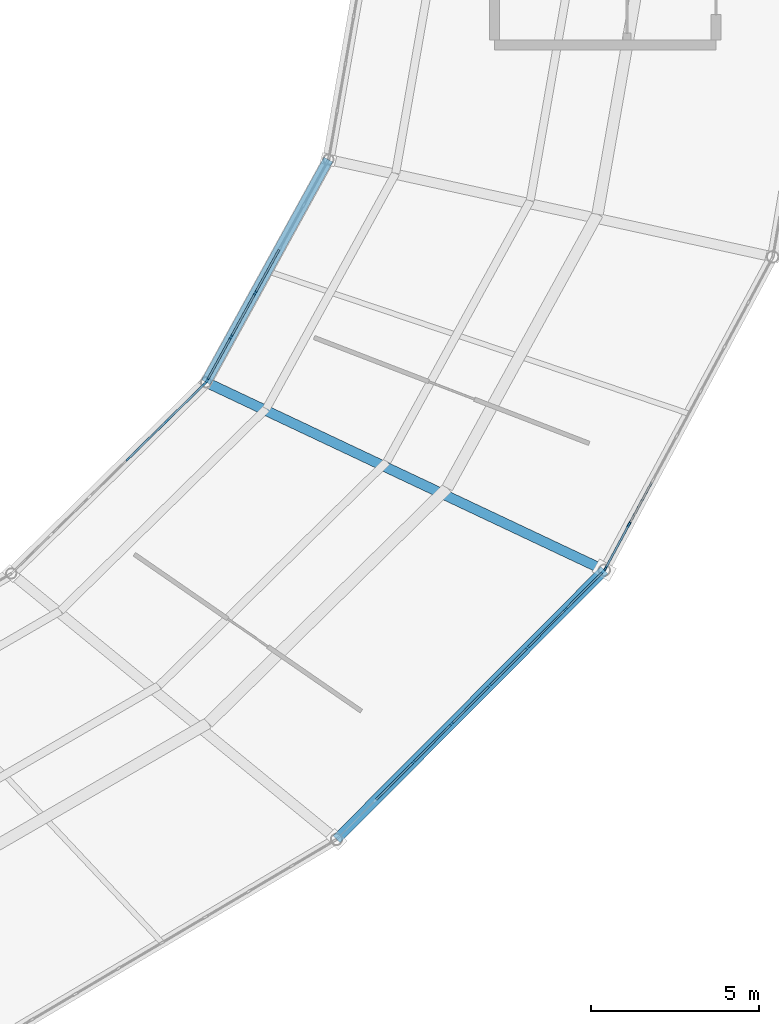
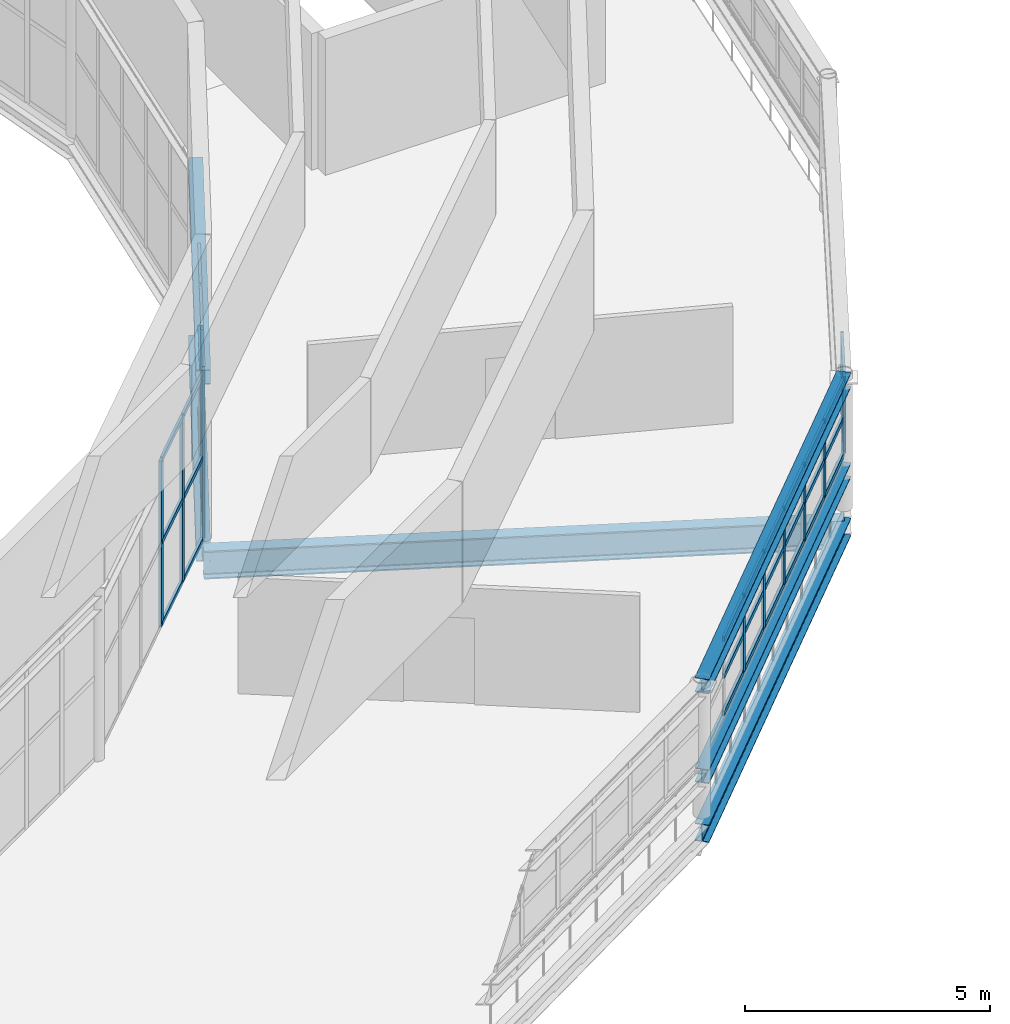
# One storey, part 62 of 123: 51 members, 6 beams, 4 elements without a shape of their own.
"""IFC4 building model written with IfcOpenShell, lengths in metres."""

from ifc_helpers import new_model, si_unit, direction, frame, origin, origin_2d, place, context, subcontext, project, spatial, rectangle, i_section, extrude, material, material_profile, profile_set, type_object, element, aggregate, save


model = new_model("IFC4")

# Units and contexts
model_context = context("Model", 3, precision=1e-05, world=origin(), true_north=direction((0.0, 1.0)))
body_context = subcontext(model_context, "Body", "Model", "MODEL_VIEW")
ifc_project = project(units=[si_unit("LENGTHUNIT", "METRE"), si_unit("AREAUNIT", "SQUARE_METRE"), si_unit("VOLUMEUNIT", "CUBIC_METRE"), si_unit("PLANEANGLEUNIT", "RADIAN"), si_unit("MASSUNIT", "GRAM", prefix="KILO")], contexts=[model_context])

# Site, building, storey
site_placement = place(None, origin())
site = spatial("IfcSite", under=ifc_project, at=site_placement, CompositionType="ELEMENT")
building_placement = place(site_placement, origin())
building = spatial("IfcBuilding", under=site, at=building_placement, Name="Kildeholm Park Wholesale Market", CompositionType="ELEMENT")
storey_placement = place(building_placement, frame((0.0, 0.0, 9.60009765625)))
storey = spatial("IfcBuildingStorey", under=building, at=storey_placement, Name="L02", CompositionType="ELEMENT", Elevation=9.60009765625)

# Beams
ifc_material_1 = material(Name="Steel S355", Category="steel")
ifc_material_profile_1 = material_profile(ifc_material_1, i_section(OverallWidth=0.300048828125, OverallDepth=0.699951171875, WebThickness=0.01708984375, FlangeThickness=0.031982421875, FilletRadius=0.027099609375, at=origin_2d()), Name="HEB 700")
ifc_profile_set_1 = profile_set([ifc_material_profile_1], Name="Steel S355")
beam_type_1 = type_object("IfcBeamType", Name="Beam B-G01 HEB 700", PredefinedType="BEAM", material=ifc_profile_set_1)
beam_1_placement = place(storey_placement, frame((130.610107421875, 75.75, -0.60009765625), z_axis=(0.904317894242, -0.426859632846, 0.0), x_axis=(0.426859632846, 0.904317894242, 0.0)))
element("IfcBeam", 1, at=beam_1_placement, inside=storey, type_object=beam_type_1, Name="Beam BM-V1-L02-R1-22 BM-0201", PredefinedType="BEAM", context=body_context, shape_type="SweptSolid", body=[
    extrude(i_section(OverallWidth=0.300048828125, OverallDepth=0.699951171875, WebThickness=0.01708984375, FlangeThickness=0.031982421875, FilletRadius=0.027099609375, at=origin_2d()), origin(), (0.0, 0.0, 1.0), 13.119384765625),
])
ifc_material_profile_2 = material_profile(ifc_material_1, i_section(OverallWidth=0.300048828125, OverallDepth=0.35009765625, WebThickness=0.010009765625, FlangeThickness=0.017578125, FilletRadius=0.027099609375, at=origin_2d()), Name="HEA 360")
ifc_profile_set_2 = profile_set([ifc_material_profile_2], Name="Steel S355")
beam_type_2 = type_object("IfcBeamType", Name="Beam B-R01 HEA 360", PredefinedType="BEAM", material=ifc_profile_set_2)
beam_2_placement = place(storey_placement, frame((130.610107421875, 75.75, -0.42919921875), z_axis=(0.481751565348, 0.876307839338, 0.0), x_axis=(-0.876307839338, 0.481751565348, 0.0)))
element("IfcBeam", 2, at=beam_2_placement, inside=storey, type_object=beam_type_2, Name="Beam BM-V1-L02-CI-22 BM-0206", PredefinedType="BEAM", context=body_context, shape_type="SweptSolid", body=[
    extrude(i_section(OverallWidth=0.300048828125, OverallDepth=0.35009765625, WebThickness=0.010009765625, FlangeThickness=0.017578125, FilletRadius=0.027099609375, at=origin_2d()), origin(), (0.0, 0.0, 1.0), 7.568115234375),
])
beam_3_placement = place(storey_placement, frame((134.4970703125, 62.135009765625, 0.94775390625), z_axis=(0.705431576708, 0.708778026313, 0.0), x_axis=(-0.708778026313, 0.705431576708, 0.0)))
element("IfcBeam", 3, at=beam_3_placement, inside=storey, type_object=beam_type_2, Name="Beam BM-V1-S1IN-21 BM-0347", PredefinedType="BEAM", context=body_context, shape_type="SweptSolid", body=[
    extrude(i_section(OverallWidth=0.300048828125, OverallDepth=0.35009765625, WebThickness=0.010009765625, FlangeThickness=0.017578125, FilletRadius=0.027099609375, at=origin_2d()), origin(), (0.0, 0.0, 1.0), 11.30810546875),
])
ifc_material_profile_3 = material_profile(ifc_material_1, i_section(OverallWidth=0.300048828125, OverallDepth=0.43994140625, WebThickness=0.011474609375, FlangeThickness=0.02099609375, FilletRadius=0.027099609375, at=origin_2d()), Name="HEA 450")
ifc_profile_set_3 = profile_set([ifc_material_profile_3], Name="Steel S355")
beam_type_3 = type_object("IfcBeamType", Name="Beam B-R02 HEA 450", PredefinedType="BEAM", material=ifc_profile_set_3)
beam_4_placement = place(storey_placement, frame((134.4970703125, 62.135009765625, -0.47412109375), z_axis=(0.705431576708, 0.708778026313, 0.0), x_axis=(-0.708778026313, 0.705431576708, 0.0)))
element("IfcBeam", 4, at=beam_4_placement, inside=storey, type_object=beam_type_3, Name="Beam BM-V1-L02-CM-21 BM-0198", PredefinedType="BEAM", context=body_context, shape_type="SweptSolid", body=[
    extrude(i_section(OverallWidth=0.300048828125, OverallDepth=0.43994140625, WebThickness=0.011474609375, FlangeThickness=0.02099609375, FilletRadius=0.027099609375, at=origin_2d()), origin(), (0.0, 0.0, 1.0), 11.30810546875),
])
ifc_material_profile_4 = material_profile(ifc_material_1, i_section(OverallWidth=0.300048828125, OverallDepth=0.360107421875, WebThickness=0.012451171875, FlangeThickness=0.0224609375, FilletRadius=0.027099609375, at=origin_2d()), Name="HEB 360")
ifc_profile_set_4 = profile_set([ifc_material_profile_4], Name="Steel S355")
beam_type_4 = type_object("IfcBeamType", Name="Beam B-R03 HEB 360", PredefinedType="BEAM", material=ifc_profile_set_4)
beam_5_placement = place(storey_placement, frame((134.4970703125, 62.135009765625, 3.190185546875), z_axis=(0.705431576708, 0.708778026313, 0.0), x_axis=(-0.708778026313, 0.705431576708, 0.0)))
element("IfcBeam", 5, at=beam_5_placement, inside=storey, type_object=beam_type_4, Name="Beam BM-V1-RF-M1-21 BM-0348", PredefinedType="BEAM", context=body_context, shape_type="SweptSolid", body=[
    extrude(i_section(OverallWidth=0.300048828125, OverallDepth=0.360107421875, WebThickness=0.012451171875, FlangeThickness=0.0224609375, FilletRadius=0.027099609375, at=origin_2d()), origin(), (0.0, 0.0, 1.0), 11.30810546875),
])
beam_6_placement = place(storey_placement, frame((130.610107421875, 75.75, 3.98828125), z_axis=(0.481751565348, 0.876307839338, 0.0), x_axis=(-0.876307839338, 0.481751565348, 0.0)))
element("IfcBeam", 6, at=beam_6_placement, inside=storey, type_object=beam_type_4, Name="Beam BM-V1-RF-IN-22 BM-0355", PredefinedType="BEAM", context=body_context, shape_type="SweptSolid", body=[
    extrude(i_section(OverallWidth=0.300048828125, OverallDepth=0.360107421875, WebThickness=0.012451171875, FlangeThickness=0.0224609375, FilletRadius=0.027099609375, at=origin_2d()), origin(), (0.0, 0.0, 1.0), 7.568115234375),
])

# Curtain wall, members
ifc_material_2 = material(Name="Anodised aluminium and low-E double-glazed glass", Category="aluminium")
curtain_wall_type = type_object("IfcCurtainWallType", Name="Clerestory daylight stick curtain wall CW-02", PredefinedType="NOTDEFINED", material=ifc_material_2)
curtain_wall_1_placement = place(storey_placement, origin())
curtain_wall_1 = element("IfcCurtainWall", 7, at=curtain_wall_1_placement, inside=storey, type_object=curtain_wall_type, Name="Curtain wall CW-V1-CL-21 CW-0105", PredefinedType="NOTDEFINED")
ifc_material_3 = material(Name="Anodised aluminium", Category="aluminium")
ifc_material_profile_5 = material_profile(ifc_material_3, rectangle(XDim=0.06005859375, YDim=0.14990234375, at=origin_2d()), Name="CWM 60x150")
ifc_profile_set_5 = profile_set([ifc_material_profile_5], Name="Anodised aluminium")
member_type_1 = type_object("IfcMemberType", Name="Curtain-wall mullion CWM-3 CWM 60x150", PredefinedType="MULLION", material=ifc_profile_set_5)
member_1_placement = place(storey_placement, frame((136.793212890625, 64.43408203125, 1.349853515625), z_axis=(0.0, 0.0, 1.0), x_axis=(-0.708796820959, 0.705412692399, 0.0)))
member_1 = element("IfcMember", 8, at=member_1_placement, type_object=member_type_1, Name="CW-02 mullion 3 MEM-3308", PredefinedType="MULLION", context=body_context, shape_type="SweptSolid", body=[
    extrude(rectangle(XDim=0.06005859375, YDim=0.14990234375, at=origin_2d()), origin(), (0.0, 0.0, 1.0), 1.900146484375),
])
member_2_placement = place(storey_placement, frame((137.9248046875, 65.571044921875, 1.349853515625), z_axis=(0.0, 0.0, 1.0), x_axis=(-0.708796820959, 0.705412692399, 0.0)))
member_2 = element("IfcMember", 9, at=member_2_placement, type_object=member_type_1, Name="CW-02 mullion 4 MEM-3309", PredefinedType="MULLION", context=body_context, shape_type="SweptSolid", body=[
    extrude(rectangle(XDim=0.06005859375, YDim=0.14990234375, at=origin_2d()), origin(), (0.0, 0.0, 1.0), 1.900146484375),
])
member_3_placement = place(storey_placement, frame((139.056396484375, 66.7080078125, 1.349853515625), z_axis=(0.0, 0.0, 1.0), x_axis=(-0.708796820959, 0.705412692399, 0.0)))
member_3 = element("IfcMember", 10, at=member_3_placement, type_object=member_type_1, Name="CW-02 mullion 5 MEM-3310", PredefinedType="MULLION", context=body_context, shape_type="SweptSolid", body=[
    extrude(rectangle(XDim=0.06005859375, YDim=0.14990234375, at=origin_2d()), origin(), (0.0, 0.0, 1.0), 1.900146484375),
])
member_4_placement = place(storey_placement, frame((140.187744140625, 67.844970703125, 1.349853515625), z_axis=(0.0, 0.0, 1.0), x_axis=(-0.708796820959, 0.705412692399, 0.0)))
member_4 = element("IfcMember", 11, at=member_4_placement, type_object=member_type_1, Name="CW-02 mullion 6 MEM-3311", PredefinedType="MULLION", context=body_context, shape_type="SweptSolid", body=[
    extrude(rectangle(XDim=0.06005859375, YDim=0.14990234375, at=origin_2d()), origin(), (0.0, 0.0, 1.0), 1.900146484375),
])
member_5_placement = place(storey_placement, frame((141.3193359375, 68.98193359375, 1.349853515625), z_axis=(0.0, 0.0, 1.0), x_axis=(-0.708796820959, 0.705412692399, 0.0)))
member_5 = element("IfcMember", 12, at=member_5_placement, type_object=member_type_1, Name="CW-02 mullion 7 MEM-3312", PredefinedType="MULLION", context=body_context, shape_type="SweptSolid", body=[
    extrude(rectangle(XDim=0.06005859375, YDim=0.14990234375, at=origin_2d()), origin(), (0.0, 0.0, 1.0), 1.900146484375),
])
member_6_placement = place(storey_placement, frame((142.429931640625, 70.09765625, 1.349853515625), z_axis=(0.0, 0.0, 1.0), x_axis=(-0.708796820959, 0.705412692399, 0.0)))
member_6 = element("IfcMember", 13, at=member_6_placement, type_object=member_type_1, Name="CW-02 mullion 8 MEM-3313", PredefinedType="MULLION", context=body_context, shape_type="SweptSolid", body=[
    extrude(rectangle(XDim=0.06005859375, YDim=0.14990234375, at=origin_2d()), origin(), (0.0, 0.0, 1.0), 1.900146484375),
])

curtain_wall_2_placement = place(storey_placement, origin())
curtain_wall_2 = element("IfcCurtainWall", 14, at=curtain_wall_2_placement, inside=storey, type_object=curtain_wall_type, Name="Curtain wall CW-V1-IN2-21 CW-0108", PredefinedType="NOTDEFINED")
member_7_placement = place(storey_placement, frame((128.288818359375, 73.46337890625, 0.0), z_axis=(0.0, 0.0, 1.0), x_axis=(-0.700616534607, 0.713537995789, 0.0)))
member_7 = element("IfcMember", 15, at=member_7_placement, type_object=member_type_1, Name="CW-02 mullion 4 MEM-3380", PredefinedType="MULLION", context=body_context, shape_type="SweptSolid", body=[
    extrude(rectangle(XDim=0.06005859375, YDim=0.14990234375, at=origin_2d()), origin(), (0.0, 0.0, 1.0), 4.14990234375),
])
member_8_placement = place(storey_placement, frame((129.4375, 74.59130859375, 0.0), z_axis=(0.0, 0.0, 1.0), x_axis=(-0.700616534607, 0.713537995789, 0.0)))
member_8 = element("IfcMember", 16, at=member_8_placement, type_object=member_type_1, Name="CW-02 mullion 5 MEM-3381", PredefinedType="MULLION", context=body_context, shape_type="SweptSolid", body=[
    extrude(rectangle(XDim=0.06005859375, YDim=0.14990234375, at=origin_2d()), origin(), (0.0, 0.0, 1.0), 4.14990234375),
])
member_9_placement = place(storey_placement, frame((130.564697265625, 75.697998046875, 0.0), z_axis=(0.0, 0.0, 1.0), x_axis=(-0.700616534607, 0.713537995789, 0.0)))
member_9 = element("IfcMember", 17, at=member_9_placement, type_object=member_type_1, Name="CW-02 mullion 6 MEM-3382", PredefinedType="MULLION", context=body_context, shape_type="SweptSolid", body=[
    extrude(rectangle(XDim=0.06005859375, YDim=0.14990234375, at=origin_2d()), origin(), (0.0, 0.0, 1.0), 4.14990234375),
])

curtain_wall_3_placement = place(storey_placement, origin())
curtain_wall_3 = element("IfcCurtainWall", 18, at=curtain_wall_3_placement, inside=storey, type_object=curtain_wall_type, Name="Curtain wall CW-V1-CL-22 CW-0110", PredefinedType="NOTDEFINED")
member_10_placement = place(storey_placement, frame((142.51318359375, 70.20947265625, 1.349853515625), z_axis=(0.0, 0.0, 1.0), x_axis=(-0.880879905062, 0.473339828092, 0.0)))
member_10 = element("IfcMember", 19, at=member_10_placement, type_object=member_type_1, Name="CW-02 mullion 1 MEM-3431", PredefinedType="MULLION", context=body_context, shape_type="SweptSolid", body=[
    extrude(rectangle(XDim=0.06005859375, YDim=0.14990234375, at=origin_2d()), origin(), (0.0, 0.0, 1.0), 1.900146484375),
])
member_11_placement = place(storey_placement, frame((143.210205078125, 71.50634765625, 1.349853515625), z_axis=(0.0, 0.0, 1.0), x_axis=(-0.880879905062, 0.473339828092, 0.0)))
member_11 = element("IfcMember", 20, at=member_11_placement, type_object=member_type_1, Name="CW-02 mullion 2 MEM-3432", PredefinedType="MULLION", context=body_context, shape_type="SweptSolid", body=[
    extrude(rectangle(XDim=0.06005859375, YDim=0.14990234375, at=origin_2d()), origin(), (0.0, 0.0, 1.0), 1.900146484375),
])

curtain_wall_4_placement = place(storey_placement, origin())
curtain_wall_4 = element("IfcCurtainWall", 21, at=curtain_wall_4_placement, inside=storey, type_object=curtain_wall_type, Name="Curtain wall CW-V1-IN2-22 CW-0113", PredefinedType="NOTDEFINED")
member_12_placement = place(storey_placement, frame((130.6494140625, 75.809326171875, 0.0), z_axis=(0.0, 0.0, 1.0), x_axis=(-0.876308922506, 0.481749595055, 0.0)))
member_12 = element("IfcMember", 22, at=member_12_placement, type_object=member_type_1, Name="CW-02 mullion 1 MEM-3502", PredefinedType="MULLION", context=body_context, shape_type="SweptSolid", body=[
    extrude(rectangle(XDim=0.06005859375, YDim=0.14990234375, at=origin_2d()), origin(), (0.0, 0.0, 1.0), 4.14990234375),
])
member_13_placement = place(storey_placement, frame((131.356689453125, 77.095703125, 0.0), z_axis=(0.0, 0.0, 1.0), x_axis=(-0.876308922506, 0.481749595055, 0.0)))
member_13 = element("IfcMember", 23, at=member_13_placement, type_object=member_type_1, Name="CW-02 mullion 2 MEM-3503", PredefinedType="MULLION", context=body_context, shape_type="SweptSolid", body=[
    extrude(rectangle(XDim=0.06005859375, YDim=0.14990234375, at=origin_2d()), origin(), (0.0, 0.0, 1.0), 4.14990234375),
])
member_14_placement = place(storey_placement, frame((132.078125, 78.408203125, 0.0), z_axis=(0.0, 0.0, 1.0), x_axis=(-0.876308922506, 0.481749595055, 0.0)))
member_14 = element("IfcMember", 24, at=member_14_placement, type_object=member_type_1, Name="CW-02 mullion 3 MEM-3504", PredefinedType="MULLION", context=body_context, shape_type="SweptSolid", body=[
    extrude(rectangle(XDim=0.06005859375, YDim=0.14990234375, at=origin_2d()), origin(), (0.0, 0.0, 1.0), 4.14990234375),
])

# Member
ifc_material_profile_6 = material_profile(ifc_material_3, rectangle(XDim=0.06005859375, YDim=0.1201171875, at=origin_2d()), Name="CWT 60x120")
ifc_profile_set_6 = profile_set([ifc_material_profile_6], Name="Anodised aluminium")
member_type_2 = type_object("IfcMemberType", Name="Curtain-wall transom CWT-3 CWT 60x120", PredefinedType="USERDEFINED", material=ifc_profile_set_6)
member_15_placement = place(storey_placement, frame((135.6826171875, 63.318359375, 1.3798828125), z_axis=(0.705444776486, 0.708764888612, 0.0), x_axis=(-0.708764888612, 0.705444776486, 0.0)))
member_15 = element("IfcMember", 25, at=member_15_placement, type_object=member_type_2, Name="CW-02 transom 2.1 MEM-3317", ObjectType="TRANSOM", PredefinedType="USERDEFINED", context=body_context, shape_type="SweptSolid", body=[
    extrude(rectangle(XDim=0.06005859375, YDim=0.1201171875, at=origin_2d()), origin(), (0.0, 0.0, 1.0), 1.544189453125),
])

member_16_placement = place(storey_placement, frame((135.6826171875, 63.318359375, 2.2998046875), z_axis=(0.705444776486, 0.708764888612, 0.0), x_axis=(-0.708764888612, 0.705444776486, 0.0)))
member_16 = element("IfcMember", 26, at=member_16_placement, type_object=member_type_2, Name="CW-02 transom 2.2 MEM-3318", ObjectType="TRANSOM", PredefinedType="USERDEFINED", context=body_context, shape_type="SweptSolid", body=[
    extrude(rectangle(XDim=0.06005859375, YDim=0.1201171875, at=origin_2d()), origin(), (0.0, 0.0, 1.0), 1.544189453125),
])

member_17_placement = place(storey_placement, frame((135.6826171875, 63.318359375, 3.219970703125), z_axis=(0.705444776486, 0.708764888612, 0.0), x_axis=(-0.708764888612, 0.705444776486, 0.0)))
member_17 = element("IfcMember", 27, at=member_17_placement, type_object=member_type_2, Name="CW-02 transom 2.3 MEM-3319", ObjectType="TRANSOM", PredefinedType="USERDEFINED", context=body_context, shape_type="SweptSolid", body=[
    extrude(rectangle(XDim=0.06005859375, YDim=0.1201171875, at=origin_2d()), origin(), (0.0, 0.0, 1.0), 1.544189453125),
])

member_18_placement = place(storey_placement, frame((136.814208984375, 64.455322265625, 1.3798828125), z_axis=(0.705444776486, 0.708764888612, 0.0), x_axis=(-0.708764888612, 0.705444776486, 0.0)))
member_18 = element("IfcMember", 28, at=member_18_placement, type_object=member_type_2, Name="CW-02 transom 3.1 MEM-3320", ObjectType="TRANSOM", PredefinedType="USERDEFINED", context=body_context, shape_type="SweptSolid", body=[
    extrude(rectangle(XDim=0.06005859375, YDim=0.1201171875, at=origin_2d()), origin(), (0.0, 0.0, 1.0), 1.544189453125),
])

member_19_placement = place(storey_placement, frame((136.814208984375, 64.455322265625, 2.2998046875), z_axis=(0.705444776486, 0.708764888612, 0.0), x_axis=(-0.708764888612, 0.705444776486, 0.0)))
member_19 = element("IfcMember", 29, at=member_19_placement, type_object=member_type_2, Name="CW-02 transom 3.2 MEM-3321", ObjectType="TRANSOM", PredefinedType="USERDEFINED", context=body_context, shape_type="SweptSolid", body=[
    extrude(rectangle(XDim=0.06005859375, YDim=0.1201171875, at=origin_2d()), origin(), (0.0, 0.0, 1.0), 1.544189453125),
])

member_20_placement = place(storey_placement, frame((136.814208984375, 64.455322265625, 3.219970703125), z_axis=(0.705444776486, 0.708764888612, 0.0), x_axis=(-0.708764888612, 0.705444776486, 0.0)))
member_20 = element("IfcMember", 30, at=member_20_placement, type_object=member_type_2, Name="CW-02 transom 3.3 MEM-3322", ObjectType="TRANSOM", PredefinedType="USERDEFINED", context=body_context, shape_type="SweptSolid", body=[
    extrude(rectangle(XDim=0.06005859375, YDim=0.1201171875, at=origin_2d()), origin(), (0.0, 0.0, 1.0), 1.544189453125),
])

member_21_placement = place(storey_placement, frame((137.94580078125, 65.59228515625, 1.3798828125), z_axis=(0.705444776486, 0.708764888612, 0.0), x_axis=(-0.708764888612, 0.705444776486, 0.0)))
member_21 = element("IfcMember", 31, at=member_21_placement, type_object=member_type_2, Name="CW-02 transom 4.1 MEM-3323", ObjectType="TRANSOM", PredefinedType="USERDEFINED", context=body_context, shape_type="SweptSolid", body=[
    extrude(rectangle(XDim=0.06005859375, YDim=0.1201171875, at=origin_2d()), origin(), (0.0, 0.0, 1.0), 1.544189453125),
])

member_22_placement = place(storey_placement, frame((137.94580078125, 65.59228515625, 2.2998046875), z_axis=(0.705444776486, 0.708764888612, 0.0), x_axis=(-0.708764888612, 0.705444776486, 0.0)))
member_22 = element("IfcMember", 32, at=member_22_placement, type_object=member_type_2, Name="CW-02 transom 4.2 MEM-3324", ObjectType="TRANSOM", PredefinedType="USERDEFINED", context=body_context, shape_type="SweptSolid", body=[
    extrude(rectangle(XDim=0.06005859375, YDim=0.1201171875, at=origin_2d()), origin(), (0.0, 0.0, 1.0), 1.544189453125),
])

member_23_placement = place(storey_placement, frame((137.94580078125, 65.59228515625, 3.219970703125), z_axis=(0.705444776486, 0.708764888612, 0.0), x_axis=(-0.708764888612, 0.705444776486, 0.0)))
member_23 = element("IfcMember", 33, at=member_23_placement, type_object=member_type_2, Name="CW-02 transom 4.3 MEM-3325", ObjectType="TRANSOM", PredefinedType="USERDEFINED", context=body_context, shape_type="SweptSolid", body=[
    extrude(rectangle(XDim=0.06005859375, YDim=0.1201171875, at=origin_2d()), origin(), (0.0, 0.0, 1.0), 1.544189453125),
])

member_24_placement = place(storey_placement, frame((139.077392578125, 66.729248046875, 1.3798828125), z_axis=(0.705444776486, 0.708764888612, 0.0), x_axis=(-0.708764888612, 0.705444776486, 0.0)))
member_24 = element("IfcMember", 34, at=member_24_placement, type_object=member_type_2, Name="CW-02 transom 5.1 MEM-3326", ObjectType="TRANSOM", PredefinedType="USERDEFINED", context=body_context, shape_type="SweptSolid", body=[
    extrude(rectangle(XDim=0.06005859375, YDim=0.1201171875, at=origin_2d()), origin(), (0.0, 0.0, 1.0), 1.544189453125),
])

member_25_placement = place(storey_placement, frame((139.077392578125, 66.729248046875, 2.2998046875), z_axis=(0.705444776486, 0.708764888612, 0.0), x_axis=(-0.708764888612, 0.705444776486, 0.0)))
member_25 = element("IfcMember", 35, at=member_25_placement, type_object=member_type_2, Name="CW-02 transom 5.2 MEM-3327", ObjectType="TRANSOM", PredefinedType="USERDEFINED", context=body_context, shape_type="SweptSolid", body=[
    extrude(rectangle(XDim=0.06005859375, YDim=0.1201171875, at=origin_2d()), origin(), (0.0, 0.0, 1.0), 1.544189453125),
])

member_26_placement = place(storey_placement, frame((139.077392578125, 66.729248046875, 3.219970703125), z_axis=(0.705444776486, 0.708764888612, 0.0), x_axis=(-0.708764888612, 0.705444776486, 0.0)))
member_26 = element("IfcMember", 36, at=member_26_placement, type_object=member_type_2, Name="CW-02 transom 5.3 MEM-3328", ObjectType="TRANSOM", PredefinedType="USERDEFINED", context=body_context, shape_type="SweptSolid", body=[
    extrude(rectangle(XDim=0.06005859375, YDim=0.1201171875, at=origin_2d()), origin(), (0.0, 0.0, 1.0), 1.544189453125),
])

member_27_placement = place(storey_placement, frame((140.208984375, 67.8662109375, 1.3798828125), z_axis=(0.705444776486, 0.708764888612, 0.0), x_axis=(-0.708764888612, 0.705444776486, 0.0)))
member_27 = element("IfcMember", 37, at=member_27_placement, type_object=member_type_2, Name="CW-02 transom 6.1 MEM-3329", ObjectType="TRANSOM", PredefinedType="USERDEFINED", context=body_context, shape_type="SweptSolid", body=[
    extrude(rectangle(XDim=0.06005859375, YDim=0.1201171875, at=origin_2d()), origin(), (0.0, 0.0, 1.0), 1.544189453125),
])

member_28_placement = place(storey_placement, frame((140.208984375, 67.8662109375, 2.2998046875), z_axis=(0.705444776486, 0.708764888612, 0.0), x_axis=(-0.708764888612, 0.705444776486, 0.0)))
member_28 = element("IfcMember", 38, at=member_28_placement, type_object=member_type_2, Name="CW-02 transom 6.2 MEM-3330", ObjectType="TRANSOM", PredefinedType="USERDEFINED", context=body_context, shape_type="SweptSolid", body=[
    extrude(rectangle(XDim=0.06005859375, YDim=0.1201171875, at=origin_2d()), origin(), (0.0, 0.0, 1.0), 1.544189453125),
])

member_29_placement = place(storey_placement, frame((140.208984375, 67.8662109375, 3.219970703125), z_axis=(0.705444776486, 0.708764888612, 0.0), x_axis=(-0.708764888612, 0.705444776486, 0.0)))
member_29 = element("IfcMember", 39, at=member_29_placement, type_object=member_type_2, Name="CW-02 transom 6.3 MEM-3331", ObjectType="TRANSOM", PredefinedType="USERDEFINED", context=body_context, shape_type="SweptSolid", body=[
    extrude(rectangle(XDim=0.06005859375, YDim=0.1201171875, at=origin_2d()), origin(), (0.0, 0.0, 1.0), 1.544189453125),
])

member_30_placement = place(storey_placement, frame((141.340576171875, 69.003173828125, 1.3798828125), z_axis=(0.705411766229, 0.708797742707, 0.0), x_axis=(-0.708797742707, 0.705411766229, 0.0)))
member_30 = element("IfcMember", 40, at=member_30_placement, type_object=member_type_2, Name="CW-02 transom 7.1 MEM-3332", ObjectType="TRANSOM", PredefinedType="USERDEFINED", context=body_context, shape_type="SweptSolid", body=[
    extrude(rectangle(XDim=0.06005859375, YDim=0.1201171875, at=origin_2d()), origin(), (0.0, 0.0, 1.0), 1.51416015625),
])

member_31_placement = place(storey_placement, frame((141.340576171875, 69.003173828125, 2.2998046875), z_axis=(0.705411766229, 0.708797742707, 0.0), x_axis=(-0.708797742707, 0.705411766229, 0.0)))
member_31 = element("IfcMember", 41, at=member_31_placement, type_object=member_type_2, Name="CW-02 transom 7.2 MEM-3333", ObjectType="TRANSOM", PredefinedType="USERDEFINED", context=body_context, shape_type="SweptSolid", body=[
    extrude(rectangle(XDim=0.06005859375, YDim=0.1201171875, at=origin_2d()), origin(), (0.0, 0.0, 1.0), 1.51416015625),
])

member_32_placement = place(storey_placement, frame((141.340576171875, 69.003173828125, 3.219970703125), z_axis=(0.705411766229, 0.708797742707, 0.0), x_axis=(-0.708797742707, 0.705411766229, 0.0)))
member_32 = element("IfcMember", 42, at=member_32_placement, type_object=member_type_2, Name="CW-02 transom 7.3 MEM-3334", ObjectType="TRANSOM", PredefinedType="USERDEFINED", context=body_context, shape_type="SweptSolid", body=[
    extrude(rectangle(XDim=0.06005859375, YDim=0.1201171875, at=origin_2d()), origin(), (0.0, 0.0, 1.0), 1.51416015625),
])

aggregate(curtain_wall_1, [member_1, member_2, member_3, member_4, member_5, member_6, member_15, member_16, member_17, member_18, member_19, member_20, member_21, member_22, member_23, member_24, member_25, member_26, member_27, member_28, member_29, member_30, member_31, member_32])

member_33_placement = place(storey_placement, frame((128.310302734375, 73.484375, 0.02978515625), z_axis=(0.713536761503, 0.700617791655, 0.0), x_axis=(-0.700617791655, 0.713536761503, 0.0)))
member_33 = element("IfcMember", 43, at=member_33_placement, type_object=member_type_2, Name="CW-02 transom 4.1 MEM-3392", ObjectType="TRANSOM", PredefinedType="USERDEFINED", context=body_context, shape_type="SweptSolid", body=[
    extrude(rectangle(XDim=0.06005859375, YDim=0.1201171875, at=origin_2d()), origin(), (0.0, 0.0, 1.0), 1.549560546875),
])

member_34_placement = place(storey_placement, frame((128.310302734375, 73.484375, 2.074951171875), z_axis=(0.713536761503, 0.700617791655, 0.0), x_axis=(-0.700617791655, 0.713536761503, 0.0)))
member_34 = element("IfcMember", 44, at=member_34_placement, type_object=member_type_2, Name="CW-02 transom 4.2 MEM-3393", ObjectType="TRANSOM", PredefinedType="USERDEFINED", context=body_context, shape_type="SweptSolid", body=[
    extrude(rectangle(XDim=0.06005859375, YDim=0.1201171875, at=origin_2d()), origin(), (0.0, 0.0, 1.0), 1.549560546875),
])

member_35_placement = place(storey_placement, frame((128.310302734375, 73.484375, 4.119873046875), z_axis=(0.713536761503, 0.700617791655, 0.0), x_axis=(-0.700617791655, 0.713536761503, 0.0)))
member_35 = element("IfcMember", 45, at=member_35_placement, type_object=member_type_2, Name="CW-02 transom 4.3 MEM-3394", ObjectType="TRANSOM", PredefinedType="USERDEFINED", context=body_context, shape_type="SweptSolid", body=[
    extrude(rectangle(XDim=0.06005859375, YDim=0.1201171875, at=origin_2d()), origin(), (0.0, 0.0, 1.0), 1.549560546875),
])

member_36_placement = place(storey_placement, frame((129.458740234375, 74.6123046875, 0.02978515625), z_axis=(0.713582952172, 0.700570746156, 0.0), x_axis=(-0.700570746156, 0.713582952172, 0.0)))
member_36 = element("IfcMember", 46, at=member_36_placement, type_object=member_type_2, Name="CW-02 transom 5.1 MEM-3395", ObjectType="TRANSOM", PredefinedType="USERDEFINED", context=body_context, shape_type="SweptSolid", body=[
    extrude(rectangle(XDim=0.06005859375, YDim=0.1201171875, at=origin_2d()), origin(), (0.0, 0.0, 1.0), 1.519775390625),
])

member_37_placement = place(storey_placement, frame((129.458740234375, 74.6123046875, 2.074951171875), z_axis=(0.713582952172, 0.700570746156, 0.0), x_axis=(-0.700570746156, 0.713582952172, 0.0)))
member_37 = element("IfcMember", 47, at=member_37_placement, type_object=member_type_2, Name="CW-02 transom 5.2 MEM-3396", ObjectType="TRANSOM", PredefinedType="USERDEFINED", context=body_context, shape_type="SweptSolid", body=[
    extrude(rectangle(XDim=0.06005859375, YDim=0.1201171875, at=origin_2d()), origin(), (0.0, 0.0, 1.0), 1.519775390625),
])

member_38_placement = place(storey_placement, frame((129.458740234375, 74.6123046875, 4.119873046875), z_axis=(0.713582952172, 0.700570746156, 0.0), x_axis=(-0.700570746156, 0.713582952172, 0.0)))
member_38 = element("IfcMember", 48, at=member_38_placement, type_object=member_type_2, Name="CW-02 transom 5.3 MEM-3397", ObjectType="TRANSOM", PredefinedType="USERDEFINED", context=body_context, shape_type="SweptSolid", body=[
    extrude(rectangle(XDim=0.06005859375, YDim=0.1201171875, at=origin_2d()), origin(), (0.0, 0.0, 1.0), 1.519775390625),
])

aggregate(curtain_wall_2, [member_7, member_8, member_9, member_33, member_34, member_35, member_36, member_37, member_38])

member_39_placement = place(storey_placement, frame((142.52734375, 70.23583984375, 1.3798828125), z_axis=(0.473429702928, 0.88083160501, 0.0), x_axis=(-0.88083160501, 0.473429702928, 0.0)))
member_39 = element("IfcMember", 49, at=member_39_placement, type_object=member_type_2, Name="CW-02 transom 1.1 MEM-3439", ObjectType="TRANSOM", PredefinedType="USERDEFINED", context=body_context, shape_type="SweptSolid", body=[
    extrude(rectangle(XDim=0.06005859375, YDim=0.1201171875, at=origin_2d()), origin(), (0.0, 0.0, 1.0), 1.412353515625),
])

member_40_placement = place(storey_placement, frame((142.52734375, 70.23583984375, 2.2998046875), z_axis=(0.473429702928, 0.88083160501, 0.0), x_axis=(-0.88083160501, 0.473429702928, 0.0)))
member_40 = element("IfcMember", 50, at=member_40_placement, type_object=member_type_2, Name="CW-02 transom 1.2 MEM-3440", ObjectType="TRANSOM", PredefinedType="USERDEFINED", context=body_context, shape_type="SweptSolid", body=[
    extrude(rectangle(XDim=0.06005859375, YDim=0.1201171875, at=origin_2d()), origin(), (0.0, 0.0, 1.0), 1.412353515625),
])

member_41_placement = place(storey_placement, frame((142.52734375, 70.23583984375, 3.219970703125), z_axis=(0.473429702928, 0.88083160501, 0.0), x_axis=(-0.88083160501, 0.473429702928, 0.0)))
member_41 = element("IfcMember", 51, at=member_41_placement, type_object=member_type_2, Name="CW-02 transom 1.3 MEM-3441", ObjectType="TRANSOM", PredefinedType="USERDEFINED", context=body_context, shape_type="SweptSolid", body=[
    extrude(rectangle(XDim=0.06005859375, YDim=0.1201171875, at=origin_2d()), origin(), (0.0, 0.0, 1.0), 1.412353515625),
])

member_42_placement = place(storey_placement, frame((143.224365234375, 71.532958984375, 1.3798828125), z_axis=(0.473292074574, 0.880905563693, 0.0), x_axis=(-0.880905563693, 0.473292074574, 0.0)))
member_42 = element("IfcMember", 52, at=member_42_placement, type_object=member_type_2, Name="CW-02 transom 2.1 MEM-3442", ObjectType="TRANSOM", PredefinedType="USERDEFINED", context=body_context, shape_type="SweptSolid", body=[
    extrude(rectangle(XDim=0.06005859375, YDim=0.1201171875, at=origin_2d()), origin(), (0.0, 0.0, 1.0), 1.4423828125),
])

aggregate(curtain_wall_3, [member_10, member_11, member_39, member_40, member_41, member_42])

member_43_placement = place(storey_placement, frame((130.663818359375, 75.835693359375, 0.02978515625), z_axis=(0.481765625321, 0.8763001097, 0.0), x_axis=(-0.8763001097, 0.481765625321, 0.0)))
member_43 = element("IfcMember", 53, at=member_43_placement, type_object=member_type_2, Name="CW-02 transom 1.1 MEM-3508", ObjectType="TRANSOM", PredefinedType="USERDEFINED", context=body_context, shape_type="SweptSolid", body=[
    extrude(rectangle(XDim=0.06005859375, YDim=0.1201171875, at=origin_2d()), origin(), (0.0, 0.0, 1.0), 1.40771484375),
])

member_44_placement = place(storey_placement, frame((130.663818359375, 75.835693359375, 2.074951171875), z_axis=(0.481765625321, 0.8763001097, 0.0), x_axis=(-0.8763001097, 0.481765625321, 0.0)))
member_44 = element("IfcMember", 54, at=member_44_placement, type_object=member_type_2, Name="CW-02 transom 1.2 MEM-3509", ObjectType="TRANSOM", PredefinedType="USERDEFINED", context=body_context, shape_type="SweptSolid", body=[
    extrude(rectangle(XDim=0.06005859375, YDim=0.1201171875, at=origin_2d()), origin(), (0.0, 0.0, 1.0), 1.40771484375),
])

member_45_placement = place(storey_placement, frame((130.663818359375, 75.835693359375, 4.119873046875), z_axis=(0.481765625321, 0.8763001097, 0.0), x_axis=(-0.8763001097, 0.481765625321, 0.0)))
member_45 = element("IfcMember", 55, at=member_45_placement, type_object=member_type_2, Name="CW-02 transom 1.3 MEM-3510", ObjectType="TRANSOM", PredefinedType="USERDEFINED", context=body_context, shape_type="SweptSolid", body=[
    extrude(rectangle(XDim=0.06005859375, YDim=0.1201171875, at=origin_2d()), origin(), (0.0, 0.0, 1.0), 1.40771484375),
])

member_46_placement = place(storey_placement, frame((131.37109375, 77.121826171875, 0.02978515625), z_axis=(0.481716674184, 0.876327019903, 0.0), x_axis=(-0.876327019903, 0.481716674184, 0.0)))
member_46 = element("IfcMember", 56, at=member_46_placement, type_object=member_type_2, Name="CW-02 transom 2.1 MEM-3511", ObjectType="TRANSOM", PredefinedType="USERDEFINED", context=body_context, shape_type="SweptSolid", body=[
    extrude(rectangle(XDim=0.06005859375, YDim=0.1201171875, at=origin_2d()), origin(), (0.0, 0.0, 1.0), 1.437744140625),
])

member_47_placement = place(storey_placement, frame((131.37109375, 77.121826171875, 2.074951171875), z_axis=(0.481716674184, 0.876327019903, 0.0), x_axis=(-0.876327019903, 0.481716674184, 0.0)))
member_47 = element("IfcMember", 57, at=member_47_placement, type_object=member_type_2, Name="CW-02 transom 2.2 MEM-3512", ObjectType="TRANSOM", PredefinedType="USERDEFINED", context=body_context, shape_type="SweptSolid", body=[
    extrude(rectangle(XDim=0.06005859375, YDim=0.1201171875, at=origin_2d()), origin(), (0.0, 0.0, 1.0), 1.437744140625),
])

member_48_placement = place(storey_placement, frame((131.37109375, 77.121826171875, 4.119873046875), z_axis=(0.481716674184, 0.876327019903, 0.0), x_axis=(-0.876327019903, 0.481716674184, 0.0)))
member_48 = element("IfcMember", 58, at=member_48_placement, type_object=member_type_2, Name="CW-02 transom 2.3 MEM-3513", ObjectType="TRANSOM", PredefinedType="USERDEFINED", context=body_context, shape_type="SweptSolid", body=[
    extrude(rectangle(XDim=0.06005859375, YDim=0.1201171875, at=origin_2d()), origin(), (0.0, 0.0, 1.0), 1.437744140625),
])

member_49_placement = place(storey_placement, frame((132.0927734375, 78.4345703125, 0.02978515625), z_axis=(0.481716674184, 0.876327019903, 0.0), x_axis=(-0.876327019903, 0.481716674184, 0.0)))
member_49 = element("IfcMember", 59, at=member_49_placement, type_object=member_type_2, Name="CW-02 transom 3.1 MEM-3514", ObjectType="TRANSOM", PredefinedType="USERDEFINED", context=body_context, shape_type="SweptSolid", body=[
    extrude(rectangle(XDim=0.06005859375, YDim=0.1201171875, at=origin_2d()), origin(), (0.0, 0.0, 1.0), 1.437744140625),
])

member_50_placement = place(storey_placement, frame((132.0927734375, 78.4345703125, 2.074951171875), z_axis=(0.481716674184, 0.876327019903, 0.0), x_axis=(-0.876327019903, 0.481716674184, 0.0)))
member_50 = element("IfcMember", 60, at=member_50_placement, type_object=member_type_2, Name="CW-02 transom 3.2 MEM-3515", ObjectType="TRANSOM", PredefinedType="USERDEFINED", context=body_context, shape_type="SweptSolid", body=[
    extrude(rectangle(XDim=0.06005859375, YDim=0.1201171875, at=origin_2d()), origin(), (0.0, 0.0, 1.0), 1.437744140625),
])

member_51_placement = place(storey_placement, frame((132.0927734375, 78.4345703125, 4.119873046875), z_axis=(0.481716674184, 0.876327019903, 0.0), x_axis=(-0.876327019903, 0.481716674184, 0.0)))
member_51 = element("IfcMember", 61, at=member_51_placement, type_object=member_type_2, Name="CW-02 transom 3.3 MEM-3516", ObjectType="TRANSOM", PredefinedType="USERDEFINED", context=body_context, shape_type="SweptSolid", body=[
    extrude(rectangle(XDim=0.06005859375, YDim=0.1201171875, at=origin_2d()), origin(), (0.0, 0.0, 1.0), 1.437744140625),
])

aggregate(curtain_wall_4, [member_12, member_13, member_14, member_43, member_44, member_45, member_46, member_47, member_48, member_49, member_50, member_51])

save(model, "model.ifc")
